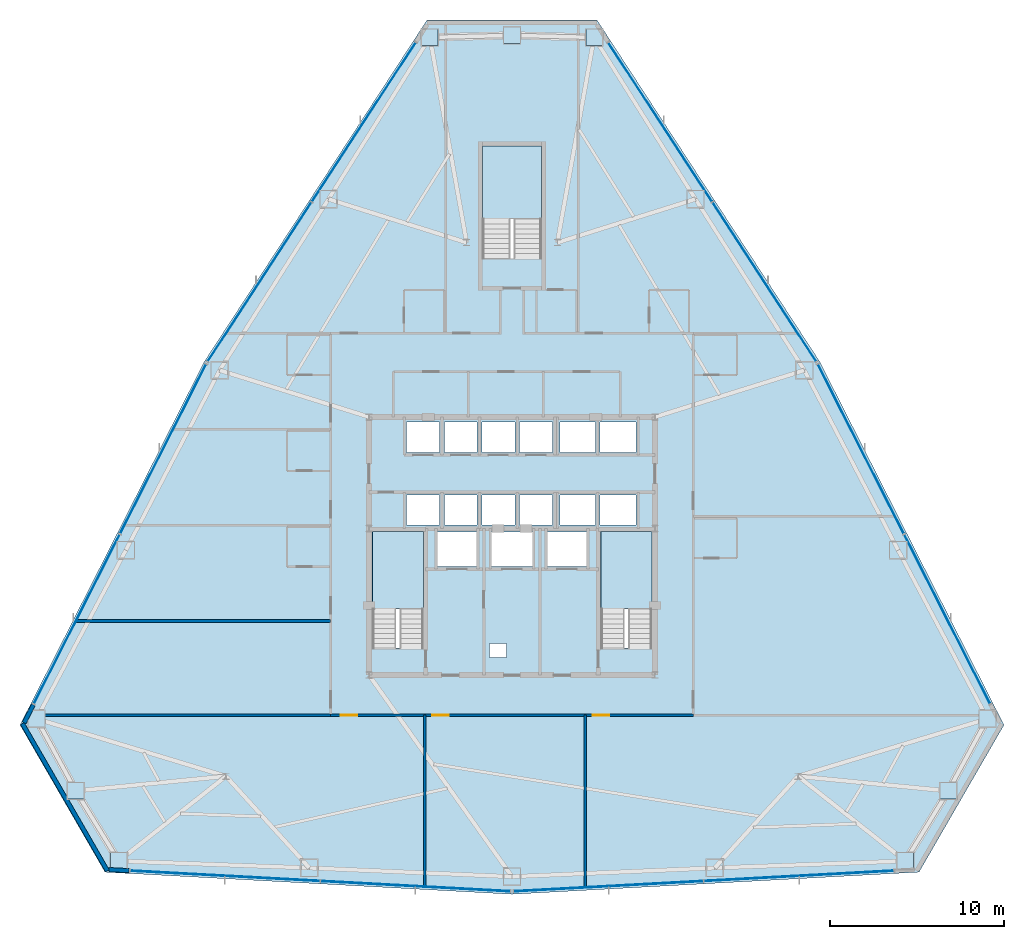
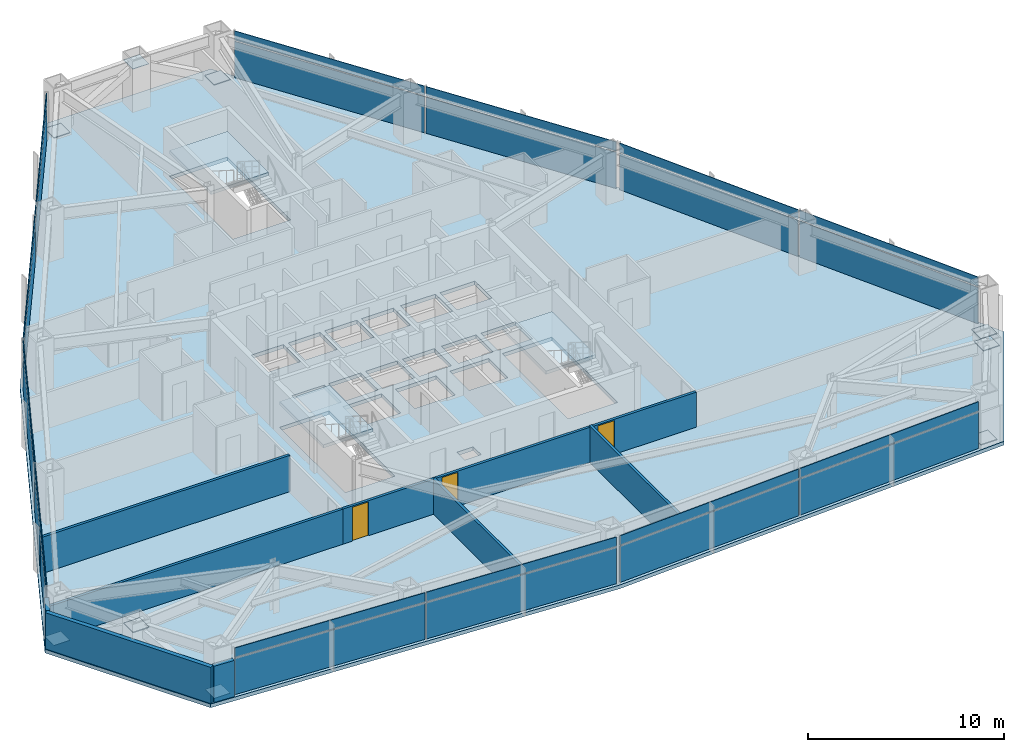
# One storey, part 8 of 12: 33 plates, 8 walls, 4 slabs, 3 doors, 3 openings, 9 elements without a shape of their own.
"""IFC4 building model written with IfcOpenShell, lengths in metres."""

from ifc_helpers import new_model, si_unit, direction, frame, frame_2d, origin, origin_2d, place, context, subcontext, project, spatial, polyline, rectangle, outline, extrude, source, transform, mapped, material, layer, layer_set, type_object, type_shapes, element, fill, aggregate, save


model = new_model("IFC4")

# Units and contexts
model_context = context("Model", 3, precision=1e-05, world=origin(), true_north=direction((0.0, 1.0)))
body_context = subcontext(model_context, "Body", "Model", "MODEL_VIEW")
ifc_project = project(units=[si_unit("LENGTHUNIT", "METRE"), si_unit("AREAUNIT", "SQUARE_METRE"), si_unit("VOLUMEUNIT", "CUBIC_METRE"), si_unit("PLANEANGLEUNIT", "RADIAN"), si_unit("MASSUNIT", "GRAM", prefix="KILO")], contexts=[model_context])

# Site, building, storey
site_placement = place(None, origin())
site = spatial("IfcSite", under=ifc_project, at=site_placement, CompositionType="ELEMENT")
building_placement = place(site_placement, origin())
building = spatial("IfcBuilding", under=site, at=building_placement, Name="Varakhsha Concourse Tower", CompositionType="ELEMENT")
storey_placement = place(building_placement, frame((0.0, 0.0, 79.800048828125)))
storey = spatial("IfcBuildingStorey", under=building, at=storey_placement, Name="L22", CompositionType="ELEMENT", Elevation=79.800048828125)

# Slab
ifc_material_1 = material(Name="Concrete fc 45 MPa", Category="concrete")
ifc_layer_1 = layer(ifc_material_1, 0.22998046875, Name="SL-FLR-230")
ifc_layer_set_1 = layer_set([ifc_layer_1], Name="Concrete fc 45 MPa")
slab_type_1 = type_object("IfcSlabType", Name="SL-FLR-230", PredefinedType="FLOOR", material=ifc_layer_set_1)
slab_1_placement = place(storey_placement, frame((0.0, 0.0, -0.22998046875)))
element("IfcSlab", 1, at=slab_1_placement, inside=storey, type_object=slab_type_1, Name="L22 Composite Structural Slab", PredefinedType="FLOOR", context=body_context, shape_type="SweptSolid", body=[
    extrude(outline(polyline([(44.87158203125, 53.96240234375), (35.12841796875, 53.96240234375), (22.360595703125, 34.384033203125), (11.789306640625, 13.53759765625), (16.66064453125, 5.10009765625), (40.0, 3.831787109375), (63.33935546875, 5.10009765625), (68.210693359375, 13.53759765625), (57.639404296875, 34.384033203125), (44.87158203125, 53.96240234375)]), holes=[polyline([(34.919921875, 17.93994140625), (34.919921875, 24.6298828125), (32.0, 24.6298828125), (32.0, 17.93994140625), (34.919921875, 17.93994140625)]), polyline([(48.02001953125, 17.93994140625), (48.02001953125, 24.6298828125), (45.10009765625, 24.6298828125), (45.10009765625, 17.93994140625), (48.02001953125, 17.93994140625)]), polyline([(41.699951171875, 40.300048828125), (41.699951171875, 46.75), (38.300048828125, 46.75), (38.300048828125, 40.300048828125), (41.699951171875, 40.300048828125)]), polyline([(33.9599609375, 29.159912109375), (35.840087890625, 29.159912109375), (35.840087890625, 30.89990234375), (33.9599609375, 30.89990234375), (33.9599609375, 29.159912109375)]), polyline([(36.1201171875, 29.159912109375), (38.0, 29.159912109375), (38.0, 30.89990234375), (36.1201171875, 30.89990234375), (36.1201171875, 29.159912109375)]), polyline([(38.280029296875, 29.159912109375), (40.159912109375, 29.159912109375), (40.159912109375, 30.89990234375), (38.280029296875, 30.89990234375), (38.280029296875, 29.159912109375)]), polyline([(40.43994140625, 29.159912109375), (42.320068359375, 29.159912109375), (42.320068359375, 30.89990234375), (40.43994140625, 30.89990234375), (40.43994140625, 29.159912109375)]), polyline([(33.9599609375, 25.0), (35.840087890625, 25.0), (35.840087890625, 26.739990234375), (33.9599609375, 26.739990234375), (33.9599609375, 25.0)]), polyline([(36.1201171875, 25.0), (38.0, 25.0), (38.0, 26.739990234375), (36.1201171875, 26.739990234375), (36.1201171875, 25.0)]), polyline([(38.280029296875, 25.0), (40.159912109375, 25.0), (40.159912109375, 26.739990234375), (38.280029296875, 26.739990234375), (38.280029296875, 25.0)]), polyline([(40.43994140625, 25.0), (42.320068359375, 25.0), (42.320068359375, 26.739990234375), (40.43994140625, 26.739990234375), (40.43994140625, 25.0)]), polyline([(42.739990234375, 29.159912109375), (44.780029296875, 29.159912109375), (44.780029296875, 30.89990234375), (42.739990234375, 30.89990234375), (42.739990234375, 29.159912109375)]), polyline([(45.06005859375, 29.159912109375), (47.10009765625, 29.159912109375), (47.10009765625, 30.89990234375), (45.06005859375, 30.89990234375), (45.06005859375, 29.159912109375)]), polyline([(42.739990234375, 25.0), (44.780029296875, 25.0), (44.780029296875, 26.739990234375), (42.739990234375, 26.739990234375), (42.739990234375, 25.0)]), polyline([(45.06005859375, 25.0), (47.10009765625, 25.0), (47.10009765625, 26.739990234375), (45.06005859375, 26.739990234375), (45.06005859375, 25.0)]), polyline([(35.7099609375, 22.639892578125), (37.989990234375, 22.639892578125), (37.989990234375, 24.60009765625), (35.7099609375, 24.60009765625), (35.7099609375, 22.639892578125)]), polyline([(42.010009765625, 22.639892578125), (44.2900390625, 22.639892578125), (44.2900390625, 24.60009765625), (42.010009765625, 24.60009765625), (42.010009765625, 22.639892578125)]), polyline([(38.81005859375, 22.639892578125), (41.18994140625, 22.639892578125), (41.18994140625, 24.60009765625), (38.81005859375, 24.60009765625), (38.81005859375, 22.639892578125)]), polyline([(38.719970703125, 17.39990234375), (39.679931640625, 17.39990234375), (39.679931640625, 18.199951171875), (38.719970703125, 18.199951171875), (38.719970703125, 17.39990234375)])]), origin(), (0.0, 0.0, 1.0), 0.22998046875),
])

# Stair, slab
stair_type_1 = type_object("IfcStairType", Name="ST-DOGLEG-1360", PredefinedType="HALF_TURN_STAIR", material=ifc_material_1)
stair_1_placement = place(storey_placement, origin())
stair_1 = element("IfcStair", 2, at=stair_1_placement, inside=storey, type_object=stair_type_1, Name="L22 Protected Exit Stair ST1", PredefinedType="HALF_TURN_STAIR")
ifc_layer_2 = layer(ifc_material_1, 0.199951171875, Name="SL-LAND-200")
ifc_layer_set_2 = layer_set([ifc_layer_2], Name="Concrete fc 45 MPa")
slab_type_2 = type_object("IfcSlabType", Name="SL-LAND-200", PredefinedType="LANDING", material=ifc_layer_set_2)
slab_2_placement = place(storey_placement, frame((0.0, 0.0, 1.39990234375)))
slab_2 = element("IfcSlab", 3, at=slab_2_placement, type_object=slab_type_2, Name="ST1 landing 1", PredefinedType="LANDING", context=body_context, shape_type="SweptSolid", body=[
    extrude(outline(polyline([(34.919921875, 20.179931640625), (34.919921875, 24.6298828125), (32.0, 24.6298828125), (32.0, 20.179931640625), (34.919921875, 20.179931640625)])), origin(), (0.0, 0.0, 1.0), 0.199951171875),
])
aggregate(stair_1, [slab_2])

stair_2_placement = place(storey_placement, origin())
stair_2 = element("IfcStair", 4, at=stair_2_placement, inside=storey, type_object=stair_type_1, Name="L22 Protected Exit Stair ST2", PredefinedType="HALF_TURN_STAIR")
slab_3_placement = place(storey_placement, frame((0.0, 0.0, 1.39990234375)))
slab_3 = element("IfcSlab", 5, at=slab_3_placement, type_object=slab_type_2, Name="ST2 landing 1", PredefinedType="LANDING", context=body_context, shape_type="SweptSolid", body=[
    extrude(outline(polyline([(48.02001953125, 20.179931640625), (48.02001953125, 24.6298828125), (45.10009765625, 24.6298828125), (45.10009765625, 20.179931640625), (48.02001953125, 20.179931640625)])), origin(), (0.0, 0.0, 1.0), 0.199951171875),
])
aggregate(stair_2, [slab_3])

stair_type_2 = type_object("IfcStairType", Name="ST-DOGLEG-1600", PredefinedType="HALF_TURN_STAIR", material=ifc_material_1)
stair_3_placement = place(storey_placement, origin())
stair_3 = element("IfcStair", 6, at=stair_3_placement, inside=storey, type_object=stair_type_2, Name="L22 Protected Exit Stair ST5", PredefinedType="HALF_TURN_STAIR")
slab_4_placement = place(storey_placement, frame((0.0, 0.0, 1.39990234375)))
slab_4 = element("IfcSlab", 7, at=slab_4_placement, type_object=slab_type_2, Name="ST5 landing 1", PredefinedType="LANDING", context=body_context, shape_type="SweptSolid", body=[
    extrude(outline(polyline([(41.699951171875, 42.5400390625), (41.699951171875, 46.75), (38.300048828125, 46.75), (38.300048828125, 42.5400390625), (41.699951171875, 42.5400390625)])), origin(), (0.0, 0.0, 1.0), 0.199951171875),
])
aggregate(stair_3, [slab_4])

# Plates
ifc_material_2 = material(Name="Structural Steel ASTM A572 Grade 50", Category="steel")
ifc_layer_3 = layer(ifc_material_2, 0.030029296875, Name="PL-ENDCAP-950")
ifc_layer_set_3 = layer_set([ifc_layer_3], Name="Structural Steel ASTM A572 Grade 50")
plate_type_1 = type_object("IfcPlateType", Name="PL-ENDCAP-950", PredefinedType="USERDEFINED", material=ifc_layer_set_3)
shared_shape_1 = source(origin(), body_context, "Body", "SweptSolid", [
    extrude(rectangle(XDim=0.949951171875, YDim=0.949951171875, at=origin_2d()), origin(), (0.0, 0.0, 1.0), 0.030029296875),
])
type_shapes(plate_type_1, [shared_shape_1])
for number, where, z_axis, x_axis, name in (
    (8, (44.7080078125, 52.963623046875, 0.10498046875), (0.0, 0.0, 1.0), (1.0, 0.0, 0.0), "Hollow Section End Cap GP-NODE-L22-0205"),
    (9, (40.0, 53.08251953125, 2.65478515625), (0.0, 0.0, 1.0), (1.0, 0.0, 0.0), "Hollow Section End Cap GP-NODE-L22-0206"),
    (10, (35.2919921875, 52.963623046875, 0.10498046875), (0.0, 0.0, 1.0), (1.0, 0.0, 0.0), "Hollow Section End Cap GP-NODE-L22-0207"),
    (11, (12.73583984375, 13.8955078125, 0.10498046875), (0.0, 0.0, 1.0), (1.0, 0.0, 0.0), "Hollow Section End Cap GP-NODE-L22-0208"),
    (12, (14.987060546875, 9.7587890625, 2.65478515625), (0.0, 0.0, 1.0), (1.0, 0.0, 0.0), "Hollow Section End Cap GP-NODE-L22-0209"),
    (13, (17.44384765625, 5.740966796875, 0.10498046875), (0.0, 0.0, 1.0), (1.0, 0.0, 0.0), "Hollow Section End Cap GP-NODE-L22-0210"),
    (14, (62.55615234375, 5.740966796875, 0.10498046875), (0.0, 0.0, 1.0), (1.0, 0.0, 0.0), "Hollow Section End Cap GP-NODE-L22-0211"),
    (15, (65.012939453125, 9.7587890625, 2.65478515625), (0.0, 0.0, 1.0), (1.0, 0.0, 0.0), "Hollow Section End Cap GP-NODE-L22-0212"),
    (16, (67.26416015625, 13.8955078125, 0.10498046875), (0.0, 0.0, 1.0), (1.0, 0.0, 0.0), "Hollow Section End Cap GP-NODE-L22-0213"),
):
    element("IfcPlate", number, at=place(storey_placement, frame(where, z_axis=z_axis, x_axis=x_axis)), inside=storey, type_object=plate_type_1, Name=name, ObjectType="END PLATE", PredefinedType="USERDEFINED", context=body_context, shape_type="MappedRepresentation", body=[
        mapped(shared_shape_1, transform((0.0, 0.0, 0.0), scale=1.0)),
    ])

# Curtain wall, plates
ifc_material_3 = material(Name="Anodised Bronze Architectural Aluminium AA 6063-T6", Category="aluminium")
ifc_layer_4 = layer(ifc_material_3, 0.199951171875, Name="CW-SYS-03")
ifc_layer_set_4 = layer_set([ifc_layer_4], Name="Anodised Bronze Architectural Aluminium AA 6063-T6")
curtain_wall_type = type_object("IfcCurtainWallType", Name="CW-SYS-03", PredefinedType="NOTDEFINED", material=ifc_layer_set_4)
curtain_wall_1_placement = place(storey_placement, origin())
curtain_wall_1 = element("IfcCurtainWall", 17, at=curtain_wall_1_placement, inside=storey, type_object=curtain_wall_type, Name="L22 Crystal Curtain Wall F2", PredefinedType="NOTDEFINED")
ifc_material_4 = material(Name="Low-E Triple Insulating Glass IGU 44 mm", Category="glass")
ifc_layer_5 = layer(ifc_material_4, 0.0439453125, Name="CWP-IGU-44")
ifc_layer_set_5 = layer_set([ifc_layer_5], Name="Low-E Triple Insulating Glass IGU 44 mm")
plate_type_2 = type_object("IfcPlateType", Name="CWP-IGU-44", PredefinedType="CURTAIN_PANEL", material=ifc_layer_set_5)
shared_shape_2 = source(origin(), body_context, "Body", "SweptSolid", [
    extrude(rectangle(XDim=10.85791015625, YDim=0.0439453125, at=origin_2d()), origin(), (0.0, 0.0, 1.0), 2.2509765625),
])
type_shapes(plate_type_2, [shared_shape_2])
plate_1_placement = place(storey_placement, frame((25.525390625, 38.944091796875, 0.034423828125), z_axis=(0.0, 0.0, 1.0), x_axis=(0.546249624122, 0.837622437705, 0.0)))
plate_1 = element("IfcPlate", 18, at=plate_1_placement, type_object=plate_type_2, Name="CW-L22-F2 Panel 00-00", PredefinedType="CURTAIN_PANEL", context=body_context, shape_type="MappedRepresentation", body=[
    mapped(shared_shape_2, transform((0.0, 0.0, 0.0), scale=1.0)),
])
plate_2_placement = place(storey_placement, frame((31.499755859375, 48.10498046875, 0.034423828125), z_axis=(0.0, 0.0, 1.0), x_axis=(0.546249624122, 0.837622437705, 0.0)))
plate_2 = element("IfcPlate", 19, at=plate_2_placement, type_object=plate_type_2, Name="CW-L22-F2 Panel 01-00", PredefinedType="CURTAIN_PANEL", context=body_context, shape_type="MappedRepresentation", body=[
    mapped(shared_shape_2, transform((0.0, 0.0, 0.0), scale=1.0)),
])

curtain_wall_2_placement = place(storey_placement, origin())
curtain_wall_2 = element("IfcCurtainWall", 20, at=curtain_wall_2_placement, inside=storey, type_object=curtain_wall_type, Name="L22 Crystal Curtain Wall F3", PredefinedType="NOTDEFINED")
plate_3_placement = place(storey_placement, frame((15.04736328125, 19.60888671875, 0.034423828125), z_axis=(0.0, 0.0, 1.0), x_axis=(0.45227438453, 0.891878848891, 0.0)))
plate_3 = element("IfcPlate", 21, at=plate_3_placement, type_object=plate_type_2, Name="CW-L22-F3 Panel 00-00", PredefinedType="CURTAIN_PANEL", context=body_context, shape_type="MappedRepresentation", body=[
    mapped(shared_shape_2, transform((0.0, 0.0, 0.0), scale=1.0)),
])
plate_4_placement = place(storey_placement, frame((19.993896484375, 29.36328125, 0.034423828125), z_axis=(0.0, 0.0, 1.0), x_axis=(0.45227438453, 0.891878848891, 0.0)))
plate_4 = element("IfcPlate", 22, at=plate_4_placement, type_object=plate_type_2, Name="CW-L22-F3 Panel 01-00", PredefinedType="CURTAIN_PANEL", context=body_context, shape_type="MappedRepresentation", body=[
    mapped(shared_shape_2, transform((0.0, 0.0, 0.0), scale=1.0)),
])

curtain_wall_3_placement = place(storey_placement, origin())
curtain_wall_3 = element("IfcCurtainWall", 23, at=curtain_wall_3_placement, inside=storey, type_object=curtain_wall_type, Name="L22 Crystal Curtain Wall F5", PredefinedType="NOTDEFINED")
plate_5_placement = place(storey_placement, frame((34.468505859375, 4.29248046875, 0.034423828125), z_axis=(0.0, 0.0, 1.0), x_axis=(-0.998527027199, 0.054256575203, 0.0)))
plate_5 = element("IfcPlate", 24, at=plate_5_placement, type_object=plate_type_2, Name="CW-L22-F5 Panel 00-00", PredefinedType="CURTAIN_PANEL", context=body_context, shape_type="MappedRepresentation", body=[
    mapped(shared_shape_2, transform((0.0, 0.0, 0.0), scale=1.0)),
])
plate_6_placement = place(storey_placement, frame((23.547607421875, 4.885986328125, 0.034423828125), z_axis=(0.0, 0.0, 1.0), x_axis=(-0.998527027199, 0.054256575203, 0.0)))
plate_6 = element("IfcPlate", 25, at=plate_6_placement, type_object=plate_type_2, Name="CW-L22-F5 Panel 01-00", PredefinedType="CURTAIN_PANEL", context=body_context, shape_type="MappedRepresentation", body=[
    mapped(shared_shape_2, transform((0.0, 0.0, 0.0), scale=1.0)),
])

curtain_wall_4_placement = place(storey_placement, origin())
curtain_wall_4 = element("IfcCurtainWall", 26, at=curtain_wall_4_placement, inside=storey, type_object=curtain_wall_type, Name="L22 Crystal Curtain Wall F6", PredefinedType="NOTDEFINED")
plate_7_placement = place(storey_placement, frame((56.452392578125, 4.885986328125, 0.034423828125), z_axis=(0.0, 0.0, 1.0), x_axis=(-0.998527027199, -0.054256575203, 0.0)))
plate_7 = element("IfcPlate", 27, at=plate_7_placement, type_object=plate_type_2, Name="CW-L22-F6 Panel 00-00", PredefinedType="CURTAIN_PANEL", context=body_context, shape_type="MappedRepresentation", body=[
    mapped(shared_shape_2, transform((0.0, 0.0, 0.0), scale=1.0)),
])
plate_8_placement = place(storey_placement, frame((45.531494140625, 4.29248046875, 0.034423828125), z_axis=(0.0, 0.0, 1.0), x_axis=(-0.998527027199, -0.054256575203, 0.0)))
plate_8 = element("IfcPlate", 28, at=plate_8_placement, type_object=plate_type_2, Name="CW-L22-F6 Panel 01-00", PredefinedType="CURTAIN_PANEL", context=body_context, shape_type="MappedRepresentation", body=[
    mapped(shared_shape_2, transform((0.0, 0.0, 0.0), scale=1.0)),
])

curtain_wall_5_placement = place(storey_placement, origin())
curtain_wall_5 = element("IfcCurtainWall", 29, at=curtain_wall_5_placement, inside=storey, type_object=curtain_wall_type, Name="L22 Crystal Curtain Wall F8", PredefinedType="NOTDEFINED")
plate_9_placement = place(storey_placement, frame((60.006103515625, 29.36328125, 0.034423828125), z_axis=(0.0, 0.0, 1.0), x_axis=(0.45227438453, -0.891878848891, 0.0)))
plate_9 = element("IfcPlate", 30, at=plate_9_placement, type_object=plate_type_2, Name="CW-L22-F8 Panel 00-00", PredefinedType="CURTAIN_PANEL", context=body_context, shape_type="MappedRepresentation", body=[
    mapped(shared_shape_2, transform((0.0, 0.0, 0.0), scale=1.0)),
])
plate_10_placement = place(storey_placement, frame((64.95263671875, 19.60888671875, 0.034423828125), z_axis=(0.0, 0.0, 1.0), x_axis=(0.45227438453, -0.891878848891, 0.0)))
plate_10 = element("IfcPlate", 31, at=plate_10_placement, type_object=plate_type_2, Name="CW-L22-F8 Panel 01-00", PredefinedType="CURTAIN_PANEL", context=body_context, shape_type="MappedRepresentation", body=[
    mapped(shared_shape_2, transform((0.0, 0.0, 0.0), scale=1.0)),
])

curtain_wall_6_placement = place(storey_placement, origin())
curtain_wall_6 = element("IfcCurtainWall", 32, at=curtain_wall_6_placement, inside=storey, type_object=curtain_wall_type, Name="L22 Crystal Curtain Wall F9", PredefinedType="NOTDEFINED")
plate_11_placement = place(storey_placement, frame((48.500244140625, 48.10498046875, 0.034423828125), z_axis=(0.0, 0.0, 1.0), x_axis=(0.546249624122, -0.837622437705, 0.0)))
plate_11 = element("IfcPlate", 33, at=plate_11_placement, type_object=plate_type_2, Name="CW-L22-F9 Panel 00-00", PredefinedType="CURTAIN_PANEL", context=body_context, shape_type="MappedRepresentation", body=[
    mapped(shared_shape_2, transform((0.0, 0.0, 0.0), scale=1.0)),
])
plate_12_placement = place(storey_placement, frame((54.474609375, 38.944091796875, 0.034423828125), z_axis=(0.0, 0.0, 1.0), x_axis=(0.546249624122, -0.837622437705, 0.0)))
plate_12 = element("IfcPlate", 34, at=plate_12_placement, type_object=plate_type_2, Name="CW-L22-F9 Panel 01-00", PredefinedType="CURTAIN_PANEL", context=body_context, shape_type="MappedRepresentation", body=[
    mapped(shared_shape_2, transform((0.0, 0.0, 0.0), scale=1.0)),
])

# Plate
ifc_material_5 = material(Name="Glazed Turquoise-Bronze Ceramic Spandrel Panel 38 mm", Category="ceramic")
ifc_layer_6 = layer(ifc_material_5, 0.0380859375, Name="CWP-SPN-38")
ifc_layer_set_6 = layer_set([ifc_layer_6], Name="Glazed Turquoise-Bronze Ceramic Spandrel Panel 38 mm")
plate_type_3 = type_object("IfcPlateType", Name="CWP-SPN-38", PredefinedType="USERDEFINED", material=ifc_layer_set_6)
shared_shape_3 = source(origin(), body_context, "Body", "SweptSolid", [
    extrude(rectangle(XDim=10.85791015625, YDim=0.0380859375, at=origin_2d()), origin(), (0.0, 0.0, 1.0), 0.5810546875),
])
type_shapes(plate_type_3, [shared_shape_3])
plate_13_placement = place(storey_placement, frame((25.525390625, 38.944091796875, 2.3544921875), z_axis=(0.0, 0.0, 1.0), x_axis=(0.546249624122, 0.837622437705, 0.0)))
plate_13 = element("IfcPlate", 35, at=plate_13_placement, type_object=plate_type_3, Name="CW-L22-F2 Panel 00-01", ObjectType="SPANDREL", PredefinedType="USERDEFINED", context=body_context, shape_type="MappedRepresentation", body=[
    mapped(shared_shape_3, transform((0.0, 0.0, 0.0), scale=1.0)),
])

plate_14_placement = place(storey_placement, frame((31.499755859375, 48.10498046875, 2.3544921875), z_axis=(0.0, 0.0, 1.0), x_axis=(0.546249624122, 0.837622437705, 0.0)))
plate_14 = element("IfcPlate", 36, at=plate_14_placement, type_object=plate_type_3, Name="CW-L22-F2 Panel 01-01", ObjectType="SPANDREL", PredefinedType="USERDEFINED", context=body_context, shape_type="MappedRepresentation", body=[
    mapped(shared_shape_3, transform((0.0, 0.0, 0.0), scale=1.0)),
])

aggregate(curtain_wall_1, [plate_1, plate_13, plate_2, plate_14])

plate_15_placement = place(storey_placement, frame((15.04736328125, 19.60888671875, 2.3544921875), z_axis=(0.0, 0.0, 1.0), x_axis=(0.45227438453, 0.891878848891, 0.0)))
plate_15 = element("IfcPlate", 37, at=plate_15_placement, type_object=plate_type_3, Name="CW-L22-F3 Panel 00-01", ObjectType="SPANDREL", PredefinedType="USERDEFINED", context=body_context, shape_type="MappedRepresentation", body=[
    mapped(shared_shape_3, transform((0.0, 0.0, 0.0), scale=1.0)),
])

plate_16_placement = place(storey_placement, frame((19.993896484375, 29.36328125, 2.3544921875), z_axis=(0.0, 0.0, 1.0), x_axis=(0.45227438453, 0.891878848891, 0.0)))
plate_16 = element("IfcPlate", 38, at=plate_16_placement, type_object=plate_type_3, Name="CW-L22-F3 Panel 01-01", ObjectType="SPANDREL", PredefinedType="USERDEFINED", context=body_context, shape_type="MappedRepresentation", body=[
    mapped(shared_shape_3, transform((0.0, 0.0, 0.0), scale=1.0)),
])

aggregate(curtain_wall_2, [plate_3, plate_15, plate_4, plate_16])

plate_17_placement = place(storey_placement, frame((34.468505859375, 4.29248046875, 2.3544921875), z_axis=(0.0, 0.0, 1.0), x_axis=(-0.998527027199, 0.054256575203, 0.0)))
plate_17 = element("IfcPlate", 39, at=plate_17_placement, type_object=plate_type_3, Name="CW-L22-F5 Panel 00-01", ObjectType="SPANDREL", PredefinedType="USERDEFINED", context=body_context, shape_type="MappedRepresentation", body=[
    mapped(shared_shape_3, transform((0.0, 0.0, 0.0), scale=1.0)),
])

plate_18_placement = place(storey_placement, frame((23.547607421875, 4.885986328125, 2.3544921875), z_axis=(0.0, 0.0, 1.0), x_axis=(-0.998527027199, 0.054256575203, 0.0)))
plate_18 = element("IfcPlate", 40, at=plate_18_placement, type_object=plate_type_3, Name="CW-L22-F5 Panel 01-01", ObjectType="SPANDREL", PredefinedType="USERDEFINED", context=body_context, shape_type="MappedRepresentation", body=[
    mapped(shared_shape_3, transform((0.0, 0.0, 0.0), scale=1.0)),
])

aggregate(curtain_wall_3, [plate_5, plate_17, plate_6, plate_18])

plate_19_placement = place(storey_placement, frame((56.452392578125, 4.885986328125, 2.3544921875), z_axis=(0.0, 0.0, 1.0), x_axis=(-0.998527027199, -0.054256575203, 0.0)))
plate_19 = element("IfcPlate", 41, at=plate_19_placement, type_object=plate_type_3, Name="CW-L22-F6 Panel 00-01", ObjectType="SPANDREL", PredefinedType="USERDEFINED", context=body_context, shape_type="MappedRepresentation", body=[
    mapped(shared_shape_3, transform((0.0, 0.0, 0.0), scale=1.0)),
])

plate_20_placement = place(storey_placement, frame((45.531494140625, 4.29248046875, 2.3544921875), z_axis=(0.0, 0.0, 1.0), x_axis=(-0.998527027199, -0.054256575203, 0.0)))
plate_20 = element("IfcPlate", 42, at=plate_20_placement, type_object=plate_type_3, Name="CW-L22-F6 Panel 01-01", ObjectType="SPANDREL", PredefinedType="USERDEFINED", context=body_context, shape_type="MappedRepresentation", body=[
    mapped(shared_shape_3, transform((0.0, 0.0, 0.0), scale=1.0)),
])

aggregate(curtain_wall_4, [plate_7, plate_19, plate_8, plate_20])

plate_21_placement = place(storey_placement, frame((60.006103515625, 29.36328125, 2.3544921875), z_axis=(0.0, 0.0, 1.0), x_axis=(0.45227438453, -0.891878848891, 0.0)))
plate_21 = element("IfcPlate", 43, at=plate_21_placement, type_object=plate_type_3, Name="CW-L22-F8 Panel 00-01", ObjectType="SPANDREL", PredefinedType="USERDEFINED", context=body_context, shape_type="MappedRepresentation", body=[
    mapped(shared_shape_3, transform((0.0, 0.0, 0.0), scale=1.0)),
])

plate_22_placement = place(storey_placement, frame((64.95263671875, 19.60888671875, 2.3544921875), z_axis=(0.0, 0.0, 1.0), x_axis=(0.45227438453, -0.891878848891, 0.0)))
plate_22 = element("IfcPlate", 44, at=plate_22_placement, type_object=plate_type_3, Name="CW-L22-F8 Panel 01-01", ObjectType="SPANDREL", PredefinedType="USERDEFINED", context=body_context, shape_type="MappedRepresentation", body=[
    mapped(shared_shape_3, transform((0.0, 0.0, 0.0), scale=1.0)),
])

aggregate(curtain_wall_5, [plate_9, plate_21, plate_10, plate_22])

plate_23_placement = place(storey_placement, frame((48.500244140625, 48.10498046875, 2.3544921875), z_axis=(0.0, 0.0, 1.0), x_axis=(0.546249624122, -0.837622437705, 0.0)))
plate_23 = element("IfcPlate", 45, at=plate_23_placement, type_object=plate_type_3, Name="CW-L22-F9 Panel 00-01", ObjectType="SPANDREL", PredefinedType="USERDEFINED", context=body_context, shape_type="MappedRepresentation", body=[
    mapped(shared_shape_3, transform((0.0, 0.0, 0.0), scale=1.0)),
])

plate_24_placement = place(storey_placement, frame((54.474609375, 38.944091796875, 2.3544921875), z_axis=(0.0, 0.0, 1.0), x_axis=(0.546249624122, -0.837622437705, 0.0)))
plate_24 = element("IfcPlate", 46, at=plate_24_placement, type_object=plate_type_3, Name="CW-L22-F9 Panel 01-01", ObjectType="SPANDREL", PredefinedType="USERDEFINED", context=body_context, shape_type="MappedRepresentation", body=[
    mapped(shared_shape_3, transform((0.0, 0.0, 0.0), scale=1.0)),
])

aggregate(curtain_wall_6, [plate_11, plate_23, plate_12, plate_24])

# Walls
ifc_layer_7 = layer(ifc_material_1, 0.239990234375, Name="WL-EXT-CRN-240")
ifc_layer_set_7 = layer_set([ifc_layer_7], Name="Concrete fc 45 MPa")
wall_type_1 = type_object("IfcWallType", Name="WL-EXT-CRN-240", PredefinedType="SHEAR", material=ifc_layer_set_7)
wall_1_placement = place(storey_placement, frame((12.55712890625, 14.6982421875, 0.0), z_axis=(0.0, 0.0, 1.0), x_axis=(-0.452163091908, -0.891935276977, 0.0)))
element("IfcWall", 47, at=wall_1_placement, inside=storey, type_object=wall_type_1, Name="L22 Wind-Corner Shoulder Wall F3", PredefinedType="SHEAR", context=body_context, shape_type="SweptSolid", body=[
    extrude(rectangle(XDim=1.16259765625, YDim=0.239990234375, at=frame_2d((0.581298828125, 0.0))), origin(), (0.0, 0.0, 1.0), 2.2529296875),
])
wall_2_placement = place(storey_placement, frame((16.79931640625, 5.179931640625, 0.0), z_axis=(0.0, 0.0, 1.0), x_axis=(-0.499984915177, 0.866034112836, 0.0)))
element("IfcWall", 48, at=wall_2_placement, inside=storey, type_object=wall_type_1, Name="L22 Chamfer Wind-Corner Insulated Wall F4", PredefinedType="SHEAR", context=body_context, shape_type="SweptSolid", body=[
    extrude(rectangle(XDim=9.742919921875, YDim=0.239990234375, at=frame_2d((4.87158203125, 0.0))), origin(), (0.0, 0.0, 1.0), 2.2529296875),
])
wall_3_placement = place(storey_placement, frame((16.88916015625, 5.247802734375, 0.0), z_axis=(0.0, 0.0, 1.0), x_axis=(0.998530623712, -0.054190345166, 0.0)))
element("IfcWall", 49, at=wall_3_placement, inside=storey, type_object=wall_type_1, Name="L22 Wind-Corner Shoulder Wall F5", PredefinedType="SHEAR", context=body_context, shape_type="SweptSolid", body=[
    extrude(rectangle(XDim=1.162353515625, YDim=0.239990234375, at=frame_2d((0.5810546875, 0.0))), origin(), (0.0, 0.0, 1.0), 2.2529296875),
])

# Wall, openings, doors
ifc_material_6 = material(Name="Fire-Rated Type X Gypsum Partition Assembly", Category="gypsum")
ifc_layer_8 = layer(ifc_material_6, 0.14990234375, Name="WL-PART-150")
ifc_layer_set_8 = layer_set([ifc_layer_8], Name="Fire-Rated Type X Gypsum Partition Assembly")
wall_type_2 = type_object("IfcWallType", Name="WL-PART-150", PredefinedType="PARTITIONING", material=ifc_layer_set_8)
wall_4_placement = place(storey_placement, frame((29.60009765625, 14.10009765625, 0.0), z_axis=(0.0, 0.0, 1.0), x_axis=(1.0, 0.0, 0.0)))
wall_4 = element("IfcWall", 50, at=wall_4_placement, inside=storey, type_object=wall_type_2, Name="L22 Wall CRW-S-L22", PredefinedType="PARTITIONING", context=body_context, shape_type="SweptSolid", body=[
    extrude(rectangle(XDim=20.7998046875, YDim=0.14990234375, at=frame_2d((10.39990234375, 0.0))), origin(), (0.0, 0.0, 1.0), 2.180908203125),
])
opening_1_placement = place(wall_4_placement, frame((0.570068359375, 0.0, 0.0)))
opening_1 = element("IfcOpeningElement", 51, at=opening_1_placement, cuts=wall_4, Name="Opening DF-05", PredefinedType="OPENING", context=body_context, shape_type="SweptSolid", body=[
    extrude(rectangle(XDim=0.949951171875, YDim=2.10009765625, at=frame_2d((0.47509765625, 1.050048828125))), frame((0.0, 0.0849609375, 0.0), z_axis=(0.0, -1.0, 0.0), x_axis=(1.0, 0.0, 0.0)), (0.0, 0.0, 1.0), 0.169921875),
])
opening_2_placement = place(wall_4_placement, frame((5.820068359375, 0.0, 0.0)))
opening_2 = element("IfcOpeningElement", 52, at=opening_2_placement, cuts=wall_4, Name="Opening DF-05", PredefinedType="OPENING", context=body_context, shape_type="SweptSolid", body=[
    extrude(rectangle(XDim=0.949951171875, YDim=2.10009765625, at=frame_2d((0.47509765625, 1.050048828125))), frame((0.0, 0.0849609375, 0.0), z_axis=(0.0, -1.0, 0.0), x_axis=(1.0, 0.0, 0.0)), (0.0, 0.0, 1.0), 0.169921875),
])
opening_3_placement = place(wall_4_placement, frame((15.02001953125, 0.0, 0.0)))
opening_3 = element("IfcOpeningElement", 53, at=opening_3_placement, cuts=wall_4, Name="Opening DF-05", PredefinedType="OPENING", context=body_context, shape_type="SweptSolid", body=[
    extrude(rectangle(XDim=0.949951171875, YDim=2.10009765625, at=frame_2d((0.47509765625, 1.050048828125))), frame((0.0, 0.0849609375, 0.0), z_axis=(0.0, -1.0, 0.0), x_axis=(1.0, 0.0, 0.0)), (0.0, 0.0, 1.0), 0.169921875),
])
ifc_material_7 = material(Name="Hollow Galvanised Steel Fire Door Assembly", Category="steel")
door_type = type_object("IfcDoorType", Name="DR-FD60-950", OperationType="NOTDEFINED", PredefinedType="DOOR", material=ifc_material_7)
door_1_placement = place(opening_1_placement, origin())
door_1 = element("IfcDoor", 54, at=door_1_placement, inside=storey, type_object=door_type, Name="L22 Hotel Executive Salon L22-H01 Door", OperationType="SINGLE_SWING_LEFT", OverallHeight=2.10009765625, OverallWidth=0.949951171875, PredefinedType="DOOR", context=body_context, shape_type="SweptSolid", body=[
    extrude(rectangle(XDim=0.949951171875, YDim=2.10009765625, at=frame_2d((0.47509765625, 1.050048828125))), frame((0.0, 0.02490234375, 0.0), z_axis=(0.0, -1.0, 0.0), x_axis=(1.0, 0.0, 0.0)), (0.0, 0.0, 1.0), 0.050048828125),
])
fill(opening_1, door_1)
door_2_placement = place(opening_2_placement, origin())
door_2 = element("IfcDoor", 55, at=door_2_placement, inside=storey, type_object=door_type, Name="L22 Hotel Fitness Studio L22-H02 Door", OperationType="SINGLE_SWING_RIGHT", OverallHeight=2.10009765625, OverallWidth=0.949951171875, PredefinedType="DOOR", context=body_context, shape_type="SweptSolid", body=[
    extrude(rectangle(XDim=0.949951171875, YDim=2.10009765625, at=frame_2d((0.47509765625, 1.050048828125))), frame((0.0, 0.02490234375, 0.0), z_axis=(0.0, -1.0, 0.0), x_axis=(1.0, 0.0, 0.0)), (0.0, 0.0, 1.0), 0.050048828125),
])
fill(opening_2, door_2)
door_3_placement = place(opening_3_placement, origin())
door_3 = element("IfcDoor", 56, at=door_3_placement, inside=storey, type_object=door_type, Name="L22 Hotel Executive Salon L22-H03 Door", OperationType="SINGLE_SWING_LEFT", OverallHeight=2.10009765625, OverallWidth=0.949951171875, PredefinedType="DOOR", context=body_context, shape_type="SweptSolid", body=[
    extrude(rectangle(XDim=0.949951171875, YDim=2.10009765625, at=frame_2d((0.47509765625, 1.050048828125))), frame((0.0, 0.02490234375, 0.0), z_axis=(0.0, -1.0, 0.0), x_axis=(1.0, 0.0, 0.0)), (0.0, 0.0, 1.0), 0.050048828125),
])
fill(opening_3, door_3)

# Walls
wall_5_placement = place(storey_placement, frame((35.0, 4.268798828125, 0.0), z_axis=(0.0, 0.0, 1.0), x_axis=(0.0, 1.0, 0.0)))
element("IfcWall", 57, at=wall_5_placement, inside=storey, type_object=wall_type_2, Name="L22 Wall HDIV-S1-L22", PredefinedType="PARTITIONING", context=body_context, shape_type="SweptSolid", body=[
    extrude(rectangle(XDim=9.831298828125, YDim=0.14990234375, at=frame_2d((4.91552734375, 0.0))), origin(), (0.0, 0.0, 1.0), 2.180908203125),
])
wall_6_placement = place(storey_placement, frame((44.199951171875, 4.225341796875, 0.0), z_axis=(0.0, 0.0, 1.0), x_axis=(0.0, 1.0, 0.0)))
element("IfcWall", 58, at=wall_6_placement, inside=storey, type_object=wall_type_2, Name="L22 Wall HDIV-S2-L22", PredefinedType="PARTITIONING", context=body_context, shape_type="SweptSolid", body=[
    extrude(rectangle(XDim=9.874755859375, YDim=0.14990234375, at=frame_2d((4.9375, 0.0))), origin(), (0.0, 0.0, 1.0), 2.258056640625),
])
wall_7_placement = place(storey_placement, frame((12.259521484375, 14.10009765625, 0.0), z_axis=(0.0, 0.0, 1.0), x_axis=(1.0, 0.0, 0.0)))
element("IfcWall", 59, at=wall_7_placement, inside=storey, type_object=wall_type_2, Name="L22 Wall HDIV-WB0-L22", PredefinedType="PARTITIONING", context=body_context, shape_type="SweptSolid", body=[
    extrude(rectangle(XDim=17.340576171875, YDim=0.14990234375, at=frame_2d((8.67041015625, 0.0))), origin(), (0.0, 0.0, 1.0), 2.180908203125),
])
wall_8_placement = place(storey_placement, frame((14.997802734375, 19.5, 0.0), z_axis=(0.0, 0.0, 1.0), x_axis=(1.0, 0.0, 0.0)))
element("IfcWall", 60, at=wall_8_placement, inside=storey, type_object=wall_type_2, Name="L22 Wall HDIV-W1-L22", PredefinedType="PARTITIONING", context=body_context, shape_type="SweptSolid", body=[
    extrude(rectangle(XDim=14.602294921875, YDim=0.14990234375, at=frame_2d((7.30126953125, 0.0))), origin(), (0.0, 0.0, 1.0), 2.258056640625),
])

save(model, "model.ifc")
